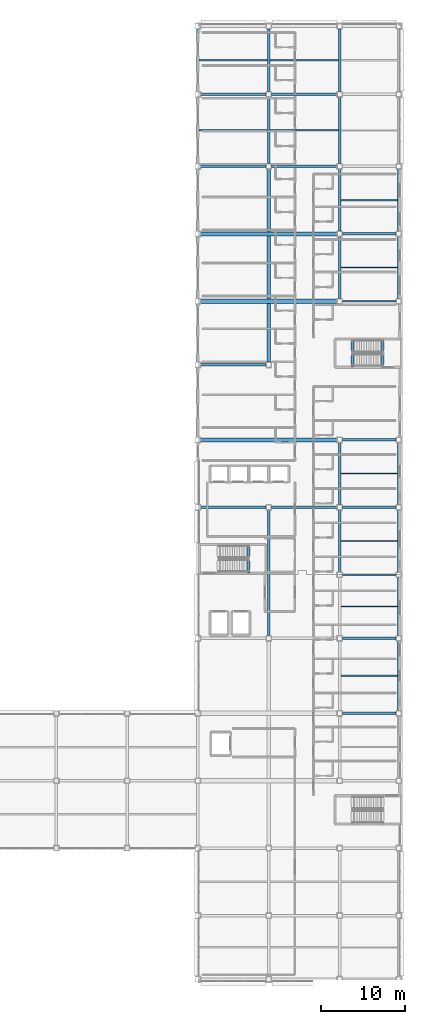
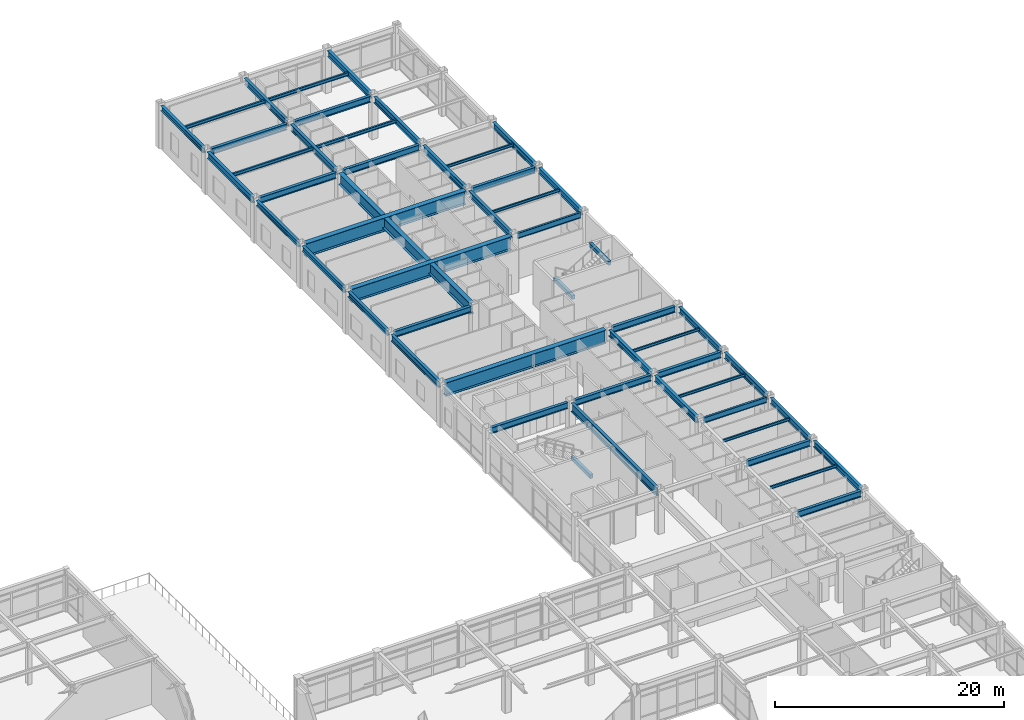
# One storey, part 60 of 93: 52 beams.
"""IFC4 building model written with IfcOpenShell, lengths in metres."""

import ifcopenshell
import ifcopenshell.guid

model = None  # the IFC model being written
_history = None  # IfcOwnerHistory: only IFC2X3 demands one
_inside = {}  # id of a spatial element -> (the spatial element, [elements in it])
_under = {}  # id of a project, library or spatial element -> (it, [spatial elements below it])
_declared = {}  # id of a project -> (the project, [libraries it declares])
_typed = {}  # id of a type object -> (the type object, [elements of that type])
_made_of = {}  # id of a material, layer set ... -> (it, [elements and type objects made of it])


def new_model(schema):
    """Start an empty IFC model of exactly this schema.

    Asked for "IFC4X3", IfcOpenShell would pick the latest addendum, in which some entities
    have other attributes; the version numbers below select the first issue.
    IFC2X3 requires an IfcOwnerHistory on every rooted entity: one is made here for all.
    """
    global model, _history
    if schema == "IFC4X3":
        model = ifcopenshell.file(schema_version=(4, 3, 0, 0))
    else:
        model = ifcopenshell.file(schema=schema)
    _inside.clear()
    _under.clear()
    _declared.clear()
    _typed.clear()
    _made_of.clear()
    _history = None
    if model.schema == "IFC2X3":
        org = make("IfcOrganization", Name="unknown")
        user = make(
            "IfcPersonAndOrganization",
            ThePerson=make("IfcPerson", FamilyName="unknown"),
            TheOrganization=org,
        )
        app = make(
            "IfcApplication",
            ApplicationDeveloper=org,
            Version="unknown",
            ApplicationFullName="unknown",
            ApplicationIdentifier="unknown",
        )
        _history = make(
            "IfcOwnerHistory",
            OwningUser=user,
            OwningApplication=app,
            ChangeAction="ADDED",
            CreationDate=0,
        )
    return model


def make(cls, **values):
    """One entity of the class cls with the attributes given. An attribute that is None is left unset."""
    return model.create_entity(
        cls, **{name: value for name, value in values.items() if value is not None}
    )


def rooted(cls, **values):
    """An entity with a GlobalId (a new one), such as an element, a storey or a relation."""
    return make(cls, GlobalId=ifcopenshell.guid.new(), OwnerHistory=_history, **values)


def si_unit(unit_type, name, prefix=None):
    """IfcSIUnit, for example si_unit("LENGTHUNIT", "METRE", prefix="MILLI")."""
    return make("IfcSIUnit", UnitType=unit_type, Prefix=prefix, Name=name)


def assignment(units):
    """IfcUnitAssignment: the units of a project."""
    return None if units is None else make("IfcUnitAssignment", Units=units)


def point(xyz):
    """IfcCartesianPoint."""
    return None if xyz is None else make("IfcCartesianPoint", Coordinates=xyz)


def direction(xyz):
    """IfcDirection."""
    return None if xyz is None else make("IfcDirection", DirectionRatios=xyz)


def frame(location, z_axis=None, x_axis=None):
    """IfcAxis2Placement3D, a coordinate frame: its origin and axes. An axis left out is left unset."""
    return make(
        "IfcAxis2Placement3D",
        Location=point(location),
        Axis=direction(z_axis),
        RefDirection=direction(x_axis),
    )


def frame_2d(location, x_axis=None):
    """IfcAxis2Placement2D, a coordinate frame in the plane: its origin and x axis."""
    return make(
        "IfcAxis2Placement2D", Location=point(location), RefDirection=direction(x_axis)
    )


def origin():
    """The frame at (0, 0, 0) with its axes left unset."""
    return frame((0.0, 0.0, 0.0))


def origin_2d():
    """The frame at (0, 0) in the plane with its x axis left unset."""
    return frame_2d((0.0, 0.0))


def place(relative_to, where):
    """IfcLocalPlacement: puts the frame where relative to a parent placement (None: the world)."""
    return make(
        "IfcLocalPlacement", PlacementRelTo=relative_to, RelativePlacement=where
    )


def context(
    kind, dimensions, precision=None, world=None, true_north=None, identifier=None
):
    """IfcGeometricRepresentationContext, for example the 3D "Model" context."""
    return make(
        "IfcGeometricRepresentationContext",
        ContextIdentifier=identifier,
        ContextType=kind,
        CoordinateSpaceDimension=dimensions,
        Precision=precision,
        WorldCoordinateSystem=world,
        TrueNorth=true_north,
    )


def subcontext(parent, identifier, kind, view, scale=None):
    """IfcGeometricRepresentationSubContext, for example "Body" below "Model"."""
    return make(
        "IfcGeometricRepresentationSubContext",
        ContextIdentifier=identifier,
        ContextType=kind,
        ParentContext=parent,
        TargetScale=scale,
        TargetView=view,
    )


def project(units=None, contexts=None):
    """IfcProject with its units and contexts."""
    return rooted(
        "IfcProject",
        Name="project",
        RepresentationContexts=contexts,
        UnitsInContext=assignment(units),
    )


def spatial(cls, under=None, at=None, **own):
    """A site, building, storey or space (cls), placed at a placement, below another one or the project."""
    s = rooted(cls, ObjectPlacement=at, **own)
    if under is not None:
        _under.setdefault(under.id(), (under, []))[1].append(s)
    return s


def profile(cls, at=None, kind="AREA", **sizes):
    """A parametric profile (cls). Its sizes go by their IFC names, for example OverallWidth=200.0."""
    return make(cls, ProfileType=kind, Position=at, **sizes)


def rectangle(**sizes):
    """IfcRectangleProfileDef."""
    return profile("IfcRectangleProfileDef", **sizes)


def i_section(**sizes):
    """IfcIShapeProfileDef."""
    return profile("IfcIShapeProfileDef", **sizes)


def extrude(swept, where, along, depth):
    """IfcExtrudedAreaSolid: the profile swept, set in the frame where, extruded along a direction by depth."""
    return make(
        "IfcExtrudedAreaSolid",
        SweptArea=swept,
        Position=where,
        ExtrudedDirection=direction(along),
        Depth=depth,
    )


def shape(context_of_items, identifier, shape_type, items):
    """IfcShapeRepresentation: the items that make up one representation, for example the "Body"."""
    return make(
        "IfcShapeRepresentation",
        ContextOfItems=context_of_items,
        RepresentationIdentifier=identifier,
        RepresentationType=shape_type,
        Items=items,
    )


def material(Name=None, Category=None):
    """IfcMaterial."""
    return make("IfcMaterial", Name=Name, Category=Category)


def material_profile(
    of_material, cross_section, Name=None, Category=None, Priority=None
):
    """IfcMaterialProfile: a cross section and its material."""
    return make(
        "IfcMaterialProfile",
        Name=Name,
        Material=of_material,
        Profile=cross_section,
        Priority=Priority,
        Category=Category,
    )


def profile_set(profiles, Name=None, composite=None):
    """IfcMaterialProfileSet."""
    return make(
        "IfcMaterialProfileSet",
        Name=Name,
        MaterialProfiles=profiles,
        CompositeProfile=composite,
    )


def made_of(thing, what):
    """Note that an element or type object is made of a material, layer set ...; save() writes the relation."""
    if what is not None:
        _made_of.setdefault(what.id(), (what, []))[1].append(thing)
    return thing


def type_object(cls, material=None, **own):
    """A type object (cls), such as IfcWallType, which elements share."""
    return made_of(rooted(cls, **own), material)


def element(
    cls,
    number,
    at=None,
    inside=None,
    cuts=None,
    type_object=None,
    material=None,
    context=None,
    identifier="Body",
    shape_type=None,
    held_by="IfcProductDefinitionShape",
    body=None,
    shapes=None,
    **own,
):
    """One element of the class cls, such as IfcWall. Its Tag is "e" and its number.

    at: its placement. inside: the storey or other place that contains it. cuts: it is an
    opening in that element (IfcRelVoidsElement). A single representation is given by context,
    identifier, shape_type and body (its items); several are given by shapes. held_by: the class
    of the entity that holds the representations. save() writes the other relations.
    """
    e = rooted(cls, Tag="e%d" % number, ObjectPlacement=at, **own)
    if body is not None:
        shapes = [shape(context, identifier, shape_type, body)]
    if shapes is not None:
        e.Representation = make(held_by, Representations=shapes)
    if inside is not None:
        _inside.setdefault(inside.id(), (inside, []))[1].append(e)
    if cuts is not None:
        rooted(
            "IfcRelVoidsElement", RelatingBuildingElement=cuts, RelatedOpeningElement=e
        )
    if type_object is not None:
        _typed.setdefault(type_object.id(), (type_object, []))[1].append(e)
    return made_of(e, material)


def aggregate(whole, parts):
    """IfcRelAggregates: a whole, such as a stair, and the parts it consists of."""
    return rooted("IfcRelAggregates", RelatingObject=whole, RelatedObjects=parts)


def save(model, path):
    """Write the relations noted so far, then the file.

    IfcRelAggregates (storeys below a building ...), IfcRelContainedInSpatialStructure (elements
    in a storey), IfcRelDefinesByType, IfcRelAssociatesMaterial and IfcRelDeclares: one each for
    every whole, place, type object, material and project.
    """
    for whole, parts in _under.values():
        aggregate(whole, parts)
    for where, things in _inside.values():
        rooted(
            "IfcRelContainedInSpatialStructure",
            RelatedElements=things,
            RelatingStructure=where,
        )
    for kind, things in _typed.values():
        rooted("IfcRelDefinesByType", RelatedObjects=things, RelatingType=kind)
    for what, things in _made_of.values():
        rooted("IfcRelAssociatesMaterial", RelatedObjects=things, RelatingMaterial=what)
    for by, libraries in _declared.values():
        rooted("IfcRelDeclares", RelatingContext=by, RelatedDefinitions=libraries)
    model.write(path)


model = new_model("IFC4")

# Units and contexts
model_context = context("Model", 3, precision=1e-05, world=origin(), true_north=direction((0.0, 1.0)))
body_context = subcontext(model_context, "Body", "Model", "MODEL_VIEW")
ifc_project = project(units=[si_unit("LENGTHUNIT", "METRE"), si_unit("AREAUNIT", "SQUARE_METRE"), si_unit("VOLUMEUNIT", "CUBIC_METRE"), si_unit("PLANEANGLEUNIT", "RADIAN"), si_unit("MASSUNIT", "GRAM", prefix="KILO")], contexts=[model_context])

# Site, building, storey
site_placement = place(None, origin())
site = spatial("IfcSite", under=ifc_project, at=site_placement, CompositionType="ELEMENT")
building_placement = place(site_placement, origin())
building = spatial("IfcBuilding", under=site, at=building_placement, Name="Kazehara Bluff Congress Hotel", CompositionType="ELEMENT")
storey_placement = place(building_placement, frame((0.0, 0.0, 15.0)))
storey = spatial("IfcBuildingStorey", under=building, at=storey_placement, Name="L03", CompositionType="ELEMENT", Elevation=15.0)

# Beams
ifc_material_1 = material(Name="Steel SN490B", Category="steel")
ifc_material_profile_1 = material_profile(ifc_material_1, i_section(OverallWidth=0.300048828125, OverallDepth=0.64990234375, WebThickness=0.011962890625, FlangeThickness=0.02001953125, FilletRadius=0.012939453125, at=origin_2d()))
ifc_profile_set_1 = profile_set([ifc_material_profile_1], Name="Steel SN490B")
beam_type_1 = type_object("IfcBeamType", Name="TP-G-03", PredefinedType="BEAM", material=ifc_profile_set_1)
beam_1_placement = place(storey_placement, frame((152.10009765625, 97.22509765625, 4.235107421875), z_axis=(0.0, 1.0, 0.0), x_axis=(-1.0, 0.0, 0.0)))
element("IfcBeam", 1, at=beam_1_placement, inside=storey, type_object=beam_type_1, Name="L03 girder G-03 127", PredefinedType="BEAM", context=body_context, shape_type="SweptSolid", body=[
    extrude(i_section(OverallWidth=0.300048828125, OverallDepth=0.64990234375, WebThickness=0.011962890625, FlangeThickness=0.02001953125, FilletRadius=0.012939453125, at=origin_2d()), origin(), (0.0, 0.0, 1.0), 7.89990234375),
])
beam_2_placement = place(storey_placement, frame((152.10009765625, 105.77490234375, 4.235107421875), z_axis=(0.0, 1.0, 0.0), x_axis=(-1.0, 0.0, 0.0)))
element("IfcBeam", 2, at=beam_2_placement, inside=storey, type_object=beam_type_1, Name="L03 girder G-03 128", PredefinedType="BEAM", context=body_context, shape_type="SweptSolid", body=[
    extrude(i_section(OverallWidth=0.300048828125, OverallDepth=0.64990234375, WebThickness=0.011962890625, FlangeThickness=0.02001953125, FilletRadius=0.012939453125, at=origin_2d()), origin(), (0.0, 0.0, 1.0), 7.4501953125),
])
for number, where, z_axis, x_axis, name in (
    (3, (160.5, 48.77490234375, 4.235107421875), (0.0, 1.0, 0.0), (-1.0, 0.0, 0.0), "L03 girder G-03 134"),
    (4, (160.5, 56.77490234375, 4.235107421875), (0.0, 1.0, 0.0), (-1.0, 0.0, 0.0), "L03 girder G-03 135"),
):
    element("IfcBeam", number, at=place(storey_placement, frame(where, z_axis=z_axis, x_axis=x_axis)), inside=storey, type_object=beam_type_1, Name=name, PredefinedType="BEAM", context=body_context, shape_type="SweptSolid", body=[
        extrude(i_section(OverallWidth=0.300048828125, OverallDepth=0.64990234375, WebThickness=0.011962890625, FlangeThickness=0.02001953125, FilletRadius=0.012939453125, at=origin_2d()), origin(), (0.0, 0.0, 1.0), 7.35009765625),
    ])
for number, where, z_axis, x_axis, name in (
    (5, (160.5, 81.22509765625, 4.235107421875), (0.0, 1.0, 0.0), (-1.0, 0.0, 0.0), "L03 girder G-03 136"),
    (6, (160.5, 89.22509765625, 4.235107421875), (0.0, 1.0, 0.0), (-1.0, 0.0, 0.0), "L03 girder G-03 137"),
):
    element("IfcBeam", number, at=place(storey_placement, frame(where, z_axis=z_axis, x_axis=x_axis)), inside=storey, type_object=beam_type_1, Name=name, PredefinedType="BEAM", context=body_context, shape_type="SweptSolid", body=[
        extrude(i_section(OverallWidth=0.300048828125, OverallDepth=0.64990234375, WebThickness=0.011962890625, FlangeThickness=0.02001953125, FilletRadius=0.012939453125, at=origin_2d()), origin(), (0.0, 0.0, 1.0), 7.349853515625),
    ])
beam_3_placement = place(storey_placement, frame((160.5, 97.22509765625, 4.235107421875), z_axis=(0.0, 1.0, 0.0), x_axis=(-1.0, 0.0, 0.0)))
element("IfcBeam", 7, at=beam_3_placement, inside=storey, type_object=beam_type_1, Name="L03 girder G-03 138", PredefinedType="BEAM", context=body_context, shape_type="SweptSolid", body=[
    extrude(i_section(OverallWidth=0.300048828125, OverallDepth=0.64990234375, WebThickness=0.011962890625, FlangeThickness=0.02001953125, FilletRadius=0.012939453125, at=origin_2d()), origin(), (0.0, 0.0, 1.0), 7.89990234375),
])
beam_4_placement = place(storey_placement, frame((160.5, 105.77490234375, 4.235107421875), z_axis=(0.0, 1.0, 0.0), x_axis=(-1.0, 0.0, 0.0)))
element("IfcBeam", 8, at=beam_4_placement, inside=storey, type_object=beam_type_1, Name="L03 girder G-03 139", PredefinedType="BEAM", context=body_context, shape_type="SweptSolid", body=[
    extrude(i_section(OverallWidth=0.300048828125, OverallDepth=0.64990234375, WebThickness=0.011962890625, FlangeThickness=0.02001953125, FilletRadius=0.012939453125, at=origin_2d()), origin(), (0.0, 0.0, 1.0), 7.4501953125),
])
beam_5_placement = place(storey_placement, frame((167.550048828125, 32.324951171875, 4.235107421875), z_axis=(0.0, 1.0, 0.0), x_axis=(-1.0, 0.0, 0.0)))
element("IfcBeam", 9, at=beam_5_placement, inside=storey, type_object=beam_type_1, Name="L03 girder G-03 143", PredefinedType="BEAM", context=body_context, shape_type="SweptSolid", body=[
    extrude(i_section(OverallWidth=0.300048828125, OverallDepth=0.64990234375, WebThickness=0.011962890625, FlangeThickness=0.02001953125, FilletRadius=0.012939453125, at=origin_2d()), origin(), (0.0, 0.0, 1.0), 8.25),
])
beam_6_placement = place(storey_placement, frame((167.550048828125, 41.22509765625, 4.235107421875), z_axis=(0.0, 1.0, 0.0), x_axis=(-1.0, 0.0, 0.0)))
element("IfcBeam", 10, at=beam_6_placement, inside=storey, type_object=beam_type_1, Name="L03 girder G-03 144", PredefinedType="BEAM", context=body_context, shape_type="SweptSolid", body=[
    extrude(i_section(OverallWidth=0.300048828125, OverallDepth=0.64990234375, WebThickness=0.011962890625, FlangeThickness=0.02001953125, FilletRadius=0.012939453125, at=origin_2d()), origin(), (0.0, 0.0, 1.0), 6.89990234375),
])
for number, where, z_axis, x_axis, name in (
    (11, (167.550048828125, 48.77490234375, 4.235107421875), (0.0, 1.0, 0.0), (-1.0, 0.0, 0.0), "L03 girder G-03 145"),
    (12, (167.550048828125, 56.77490234375, 4.235107421875), (0.0, 1.0, 0.0), (-1.0, 0.0, 0.0), "L03 girder G-03 146"),
):
    element("IfcBeam", number, at=place(storey_placement, frame(where, z_axis=z_axis, x_axis=x_axis)), inside=storey, type_object=beam_type_1, Name=name, PredefinedType="BEAM", context=body_context, shape_type="SweptSolid", body=[
        extrude(i_section(OverallWidth=0.300048828125, OverallDepth=0.64990234375, WebThickness=0.011962890625, FlangeThickness=0.02001953125, FilletRadius=0.012939453125, at=origin_2d()), origin(), (0.0, 0.0, 1.0), 7.35009765625),
    ])
for number, where, z_axis, x_axis, name in (
    (13, (167.550048828125, 81.22509765625, 4.235107421875), (0.0, 1.0, 0.0), (-1.0, 0.0, 0.0), "L03 girder G-03 147"),
    (14, (167.550048828125, 89.22509765625, 4.235107421875), (0.0, 1.0, 0.0), (-1.0, 0.0, 0.0), "L03 girder G-03 148"),
):
    element("IfcBeam", number, at=place(storey_placement, frame(where, z_axis=z_axis, x_axis=x_axis)), inside=storey, type_object=beam_type_1, Name=name, PredefinedType="BEAM", context=body_context, shape_type="SweptSolid", body=[
        extrude(i_section(OverallWidth=0.300048828125, OverallDepth=0.64990234375, WebThickness=0.011962890625, FlangeThickness=0.02001953125, FilletRadius=0.012939453125, at=origin_2d()), origin(), (0.0, 0.0, 1.0), 7.349853515625),
    ])
for number, where, z_axis, x_axis, name in (
    (15, (160.824951171875, 32.0, 4.235107421875), (1.0, 0.0, 0.0), (0.0, 1.0, 0.0), "L03 girder G-03 175"),
    (16, (160.824951171875, 40.89990234375, 4.235107421875), (1.0, 0.0, 0.0), (0.0, 1.0, 0.0), "L03 girder G-03 178"),
):
    element("IfcBeam", number, at=place(storey_placement, frame(where, z_axis=z_axis, x_axis=x_axis)), inside=storey, type_object=beam_type_1, Name=name, PredefinedType="BEAM", context=body_context, shape_type="SweptSolid", body=[
        extrude(i_section(OverallWidth=0.300048828125, OverallDepth=0.64990234375, WebThickness=0.011962890625, FlangeThickness=0.02001953125, FilletRadius=0.012939453125, at=origin_2d()), origin(), (0.0, 0.0, 1.0), 6.400146484375),
    ])
for number, where, z_axis, x_axis, name in (
    (17, (144.02490234375, 56.449951171875, 4.235107421875), (1.0, 0.0, 0.0), (0.0, 1.0, 0.0), "L03 girder G-03 180"),
    (18, (152.425048828125, 56.449951171875, 4.235107421875), (1.0, 0.0, 0.0), (0.0, 1.0, 0.0), "L03 girder G-03 181"),
):
    element("IfcBeam", number, at=place(storey_placement, frame(where, z_axis=z_axis, x_axis=x_axis)), inside=storey, type_object=beam_type_1, Name=name, PredefinedType="BEAM", context=body_context, shape_type="SweptSolid", body=[
        extrude(i_section(OverallWidth=0.300048828125, OverallDepth=0.64990234375, WebThickness=0.011962890625, FlangeThickness=0.02001953125, FilletRadius=0.012939453125, at=origin_2d()), origin(), (0.0, 0.0, 1.0), 7.75),
    ])
for number, where, z_axis, x_axis, name in (
    (19, (160.824951171875, 56.449951171875, 4.235107421875), (1.0, 0.0, 0.0), (0.0, 1.0, 0.0), "L03 girder G-03 182"),
    (20, (160.824951171875, 64.449951171875, 4.235107421875), (1.0, 0.0, 0.0), (0.0, 1.0, 0.0), "L03 girder G-03 184"),
):
    element("IfcBeam", number, at=place(storey_placement, frame(where, z_axis=z_axis, x_axis=x_axis)), inside=storey, type_object=beam_type_1, Name=name, PredefinedType="BEAM", context=body_context, shape_type="SweptSolid", body=[
        extrude(i_section(OverallWidth=0.300048828125, OverallDepth=0.64990234375, WebThickness=0.011962890625, FlangeThickness=0.02001953125, FilletRadius=0.012939453125, at=origin_2d()), origin(), (0.0, 0.0, 1.0), 6.400146484375),
    ])
beam_7_placement = place(storey_placement, frame((144.02490234375, 73.35009765625, 4.235107421875), z_axis=(1.0, 0.0, 0.0), x_axis=(0.0, 1.0, 0.0)))
element("IfcBeam", 21, at=beam_7_placement, inside=storey, type_object=beam_type_1, Name="L03 girder G-03 185", PredefinedType="BEAM", context=body_context, shape_type="SweptSolid", body=[
    extrude(i_section(OverallWidth=0.300048828125, OverallDepth=0.64990234375, WebThickness=0.011962890625, FlangeThickness=0.02001953125, FilletRadius=0.012939453125, at=origin_2d()), origin(), (0.0, 0.0, 1.0), 7.75),
])
beam_8_placement = place(storey_placement, frame((160.824951171875, 88.89990234375, 4.235107421875), z_axis=(1.0, 0.0, 0.0), x_axis=(0.0, 1.0, 0.0)))
element("IfcBeam", 22, at=beam_8_placement, inside=storey, type_object=beam_type_1, Name="L03 girder G-03 189", PredefinedType="BEAM", context=body_context, shape_type="SweptSolid", body=[
    extrude(i_section(OverallWidth=0.300048828125, OverallDepth=0.64990234375, WebThickness=0.011962890625, FlangeThickness=0.02001953125, FilletRadius=0.012939453125, at=origin_2d()), origin(), (0.0, 0.0, 1.0), 6.400146484375),
])
for number, where, z_axis, x_axis, name in (
    (23, (144.02490234375, 96.89990234375, 4.235107421875), (1.0, 0.0, 0.0), (0.0, 1.0, 0.0), "L03 girder G-03 190"),
    (24, (152.425048828125, 96.89990234375, 4.235107421875), (1.0, 0.0, 0.0), (0.0, 1.0, 0.0), "L03 girder G-03 191"),
    (25, (144.02490234375, 105.449951171875, 4.235107421875), (1.0, 0.0, 0.0), (0.0, 1.0, 0.0), "L03 girder G-03 193"),
    (26, (152.425048828125, 105.449951171875, 4.235107421875), (1.0, 0.0, 0.0), (0.0, 1.0, 0.0), "L03 girder G-03 194"),
):
    element("IfcBeam", number, at=place(storey_placement, frame(where, z_axis=z_axis, x_axis=x_axis)), inside=storey, type_object=beam_type_1, Name=name, PredefinedType="BEAM", context=body_context, shape_type="SweptSolid", body=[
        extrude(i_section(OverallWidth=0.300048828125, OverallDepth=0.64990234375, WebThickness=0.011962890625, FlangeThickness=0.02001953125, FilletRadius=0.012939453125, at=origin_2d()), origin(), (0.0, 0.0, 1.0), 7.75),
    ])
ifc_material_2 = material(Name="Steel SN490B", Category="steel")
ifc_material_profile_2 = material_profile(ifc_material_2, i_section(OverallWidth=0.300048828125, OverallDepth=0.89990234375, WebThickness=0.01611328125, FlangeThickness=0.028076171875, FilletRadius=0.01806640625, at=origin_2d()))
ifc_profile_set_2 = profile_set([ifc_material_profile_2], Name="Steel SN490B")
beam_type_2 = type_object("IfcBeamType", Name="TP-G-08", PredefinedType="BEAM", material=ifc_profile_set_2)
beam_9_placement = place(storey_placement, frame((152.10009765625, 41.22509765625, 4.110107421875), z_axis=(0.0, 1.0, 0.0), x_axis=(-1.0, 0.0, 0.0)))
element("IfcBeam", 27, at=beam_9_placement, inside=storey, type_object=beam_type_2, Name="L03 girder G-08 125", PredefinedType="BEAM", context=body_context, shape_type="SweptSolid", body=[
    extrude(i_section(OverallWidth=0.300048828125, OverallDepth=0.89990234375, WebThickness=0.01611328125, FlangeThickness=0.028076171875, FilletRadius=0.01806640625, at=origin_2d()), origin(), (0.0, 0.0, 1.0), 14.89990234375),
])
ifc_material_3 = material(Name="Steel SN490B", Category="steel")
ifc_material_profile_3 = material_profile(ifc_material_3, i_section(OverallWidth=0.449951171875, OverallDepth=1.199951171875, WebThickness=0.02001953125, FlangeThickness=0.031982421875, at=origin_2d()))
ifc_profile_set_3 = profile_set([ifc_material_profile_3], Name="Steel SN490B")
beam_type_3 = type_object("IfcBeamType", Name="TP-G-10", PredefinedType="BEAM", material=ifc_profile_set_3)
beam_10_placement = place(storey_placement, frame((152.10009765625, 73.675048828125, 3.9599609375), z_axis=(0.0, 1.0, 0.0), x_axis=(-1.0, 0.0, 0.0)))
element("IfcBeam", 28, at=beam_10_placement, inside=storey, type_object=beam_type_3, Name="L03 girder G-10 126", PredefinedType="BEAM", context=body_context, shape_type="SweptSolid", body=[
    extrude(i_section(OverallWidth=0.449951171875, OverallDepth=1.199951171875, WebThickness=0.02001953125, FlangeThickness=0.031982421875, at=origin_2d()), origin(), (0.0, 0.0, 1.0), 22.89990234375),
])
ifc_material_4 = material(Name="Steel SN400B", Category="steel")
ifc_material_profile_4 = material_profile(ifc_material_4, i_section(OverallWidth=0.14990234375, OverallDepth=0.300048828125, WebThickness=0.006591796875, FlangeThickness=0.009033203125, FilletRadius=0.012939453125, at=origin_2d()))
ifc_profile_set_4 = profile_set([ifc_material_profile_4], Name="Steel SN400B")
beam_type_4 = type_object("IfcBeamType", Name="TP-J-01", PredefinedType="JOIST", material=ifc_profile_set_4)
for number, where, z_axis, x_axis, name in (
    (29, (160.64990234375, 36.449951171875, 4.409912109375), (1.0, 0.0, 0.0), (0.0, 1.0, 0.0), "L03 secondary joist J-01 41"),
    (30, (160.64990234375, 44.675048828125, 4.409912109375), (1.0, 0.0, 0.0), (0.0, 1.0, 0.0), "L03 secondary joist J-01 42"),
    (31, (160.64990234375, 52.449951171875, 4.409912109375), (1.0, 0.0, 0.0), (0.0, 1.0, 0.0), "L03 secondary joist J-01 43"),
    (32, (160.64990234375, 60.449951171875, 4.409912109375), (1.0, 0.0, 0.0), (0.0, 1.0, 0.0), "L03 secondary joist J-01 44"),
    (33, (160.64990234375, 84.89990234375, 4.409912109375), (1.0, 0.0, 0.0), (0.0, 1.0, 0.0), "L03 secondary joist J-01 45"),
    (34, (160.64990234375, 92.89990234375, 4.409912109375), (1.0, 0.0, 0.0), (0.0, 1.0, 0.0), "L03 secondary joist J-01 46"),
):
    element("IfcBeam", number, at=place(storey_placement, frame(where, z_axis=z_axis, x_axis=x_axis)), inside=storey, type_object=beam_type_4, Name=name, PredefinedType="JOIST", context=body_context, shape_type="SweptSolid", body=[
        extrude(i_section(OverallWidth=0.14990234375, OverallDepth=0.300048828125, WebThickness=0.006591796875, FlangeThickness=0.009033203125, FilletRadius=0.012939453125, at=origin_2d()), origin(), (0.0, 0.0, 1.0), 6.75),
    ])
ifc_material_5 = material(Name="Steel SN400B", Category="steel")
ifc_material_profile_5 = material_profile(ifc_material_5, i_section(OverallWidth=0.175048828125, OverallDepth=0.35009765625, WebThickness=0.007080078125, FlangeThickness=0.010986328125, FilletRadius=0.012939453125, at=origin_2d()))
ifc_profile_set_5 = profile_set([ifc_material_profile_5], Name="Steel SN400B")
beam_type_5 = type_object("IfcBeamType", Name="TP-J-02", PredefinedType="JOIST", material=ifc_profile_set_5)
for number, where, z_axis, x_axis, name in (
    (35, (143.85009765625, 101.175048828125, 4.385009765625), (1.0, 0.0, 0.0), (0.0, 1.0, 0.0), "L03 secondary joist J-02 32"),
    (36, (143.85009765625, 109.5, 4.385009765625), (1.0, 0.0, 0.0), (0.0, 1.0, 0.0), "L03 secondary joist J-02 33"),
):
    element("IfcBeam", number, at=place(storey_placement, frame(where, z_axis=z_axis, x_axis=x_axis)), inside=storey, type_object=beam_type_5, Name=name, PredefinedType="JOIST", context=body_context, shape_type="SweptSolid", body=[
        extrude(i_section(OverallWidth=0.175048828125, OverallDepth=0.35009765625, WebThickness=0.007080078125, FlangeThickness=0.010986328125, FilletRadius=0.012939453125, at=origin_2d()), origin(), (0.0, 0.0, 1.0), 8.099853515625),
    ])
for number, where, z_axis, x_axis, name in (
    (37, (152.25, 101.175048828125, 4.385009765625), (1.0, 0.0, 0.0), (0.0, 1.0, 0.0), "L03 secondary joist J-02 36"),
    (38, (152.25, 109.5, 4.385009765625), (1.0, 0.0, 0.0), (0.0, 1.0, 0.0), "L03 secondary joist J-02 37"),
):
    element("IfcBeam", number, at=place(storey_placement, frame(where, z_axis=z_axis, x_axis=x_axis)), inside=storey, type_object=beam_type_5, Name=name, PredefinedType="JOIST", context=body_context, shape_type="SweptSolid", body=[
        extrude(i_section(OverallWidth=0.175048828125, OverallDepth=0.35009765625, WebThickness=0.007080078125, FlangeThickness=0.010986328125, FilletRadius=0.012939453125, at=origin_2d()), origin(), (0.0, 0.0, 1.0), 8.10009765625),
    ])
ifc_material_6 = material(Name="Concrete C40/50", Category="concrete")
ifc_material_profile_6 = material_profile(ifc_material_6, rectangle(XDim=0.300048828125, YDim=0.39990234375, at=origin_2d()))
ifc_profile_set_6 = profile_set([ifc_material_profile_6], Name="Concrete C40/50")
beam_type_6 = type_object("IfcBeamType", Name="TP-LN-02", PredefinedType="LINTEL", material=ifc_profile_set_6)
beam_11_placement = place(storey_placement, frame((149.739990234375, 48.675048828125, 2.02001953125), z_axis=(0.0, 1.0, 0.0), x_axis=(-1.0, 0.0, 0.0)))
element("IfcBeam", 39, at=beam_11_placement, inside=storey, type_object=beam_type_6, Name="L03 ST-11 half-landing support beam 1", PredefinedType="LINTEL", context=body_context, shape_type="SweptSolid", body=[
    extrude(rectangle(XDim=0.300048828125, YDim=0.39990234375, at=origin_2d()), origin(), (0.0, 0.0, 1.0), 3.349853515625),
])
for number, where, z_axis, x_axis, name in (
    (40, (162.010009765625, 76.425048828125, 2.02001953125), (0.0, -1.0, 0.0), (1.0, 0.0, 0.0), "L03 ST-12 half-landing support beam 1"),
    (41, (165.64990234375, 76.425048828125, 4.3798828125), (0.0, -1.0, 0.0), (1.0, 0.0, 0.0), "L04 ST-12 stairwell trimmer beam"),
):
    element("IfcBeam", number, at=place(storey_placement, frame(where, z_axis=z_axis, x_axis=x_axis)), inside=storey, type_object=beam_type_6, Name=name, PredefinedType="LINTEL", context=body_context, shape_type="SweptSolid", body=[
        extrude(rectangle(XDim=0.300048828125, YDim=0.39990234375, at=origin_2d()), origin(), (0.0, 0.0, 1.0), 3.35009765625),
    ])
ifc_material_7 = material(Name="Steel SN490B", Category="steel")
ifc_material_profile_7 = material_profile(ifc_material_7, i_section(OverallWidth=0.300048828125, OverallDepth=0.550048828125, WebThickness=0.010986328125, FlangeThickness=0.01806640625, FilletRadius=0.012939453125, at=origin_2d()))
ifc_profile_set_7 = profile_set([ifc_material_profile_7], Name="Steel SN490B")
beam_type_7 = type_object("IfcBeamType", Name="TP-SP-01", PredefinedType="SPANDREL", material=ifc_profile_set_7)
beam_12_placement = place(storey_placement, frame((143.699951171875, 73.675048828125, 4.284912109375), z_axis=(0.0, 1.0, 0.0), x_axis=(-1.0, 0.0, 0.0)))
element("IfcBeam", 42, at=beam_12_placement, inside=storey, type_object=beam_type_7, Name="L03 girder SP-01 117", PredefinedType="SPANDREL", context=body_context, shape_type="SweptSolid", body=[
    extrude(i_section(OverallWidth=0.300048828125, OverallDepth=0.550048828125, WebThickness=0.010986328125, FlangeThickness=0.01806640625, FilletRadius=0.012939453125, at=origin_2d()), origin(), (0.0, 0.0, 1.0), 6.89990234375),
])
for number, where, z_axis, x_axis, name in (
    (43, (143.699951171875, 81.22509765625, 4.284912109375), (0.0, 1.0, 0.0), (-1.0, 0.0, 0.0), "L03 girder SP-01 118"),
    (44, (143.699951171875, 89.22509765625, 4.284912109375), (0.0, 1.0, 0.0), (-1.0, 0.0, 0.0), "L03 girder SP-01 119"),
):
    element("IfcBeam", number, at=place(storey_placement, frame(where, z_axis=z_axis, x_axis=x_axis)), inside=storey, type_object=beam_type_7, Name=name, PredefinedType="SPANDREL", context=body_context, shape_type="SweptSolid", body=[
        extrude(i_section(OverallWidth=0.300048828125, OverallDepth=0.550048828125, WebThickness=0.010986328125, FlangeThickness=0.01806640625, FilletRadius=0.012939453125, at=origin_2d()), origin(), (0.0, 0.0, 1.0), 7.349853515625),
    ])
beam_13_placement = place(storey_placement, frame((143.699951171875, 105.77490234375, 4.284912109375), z_axis=(0.0, 1.0, 0.0), x_axis=(-1.0, 0.0, 0.0)))
element("IfcBeam", 45, at=beam_13_placement, inside=storey, type_object=beam_type_7, Name="L03 girder SP-01 121", PredefinedType="SPANDREL", context=body_context, shape_type="SweptSolid", body=[
    extrude(i_section(OverallWidth=0.300048828125, OverallDepth=0.550048828125, WebThickness=0.010986328125, FlangeThickness=0.01806640625, FilletRadius=0.012939453125, at=origin_2d()), origin(), (0.0, 0.0, 1.0), 7.4501953125),
])
ifc_material_8 = material(Name="Steel SN490B", Category="steel")
ifc_material_profile_8 = material_profile(ifc_material_8, i_section(OverallWidth=0.199951171875, OverallDepth=0.60009765625, WebThickness=0.010986328125, FlangeThickness=0.01708984375, FilletRadius=0.012939453125, at=origin_2d()))
ifc_profile_set_8 = profile_set([ifc_material_profile_8], Name="Steel SN490B")
beam_type_8 = type_object("IfcBeamType", Name="TP-SP-02", PredefinedType="SPANDREL", material=ifc_profile_set_8)
for number, where, z_axis, x_axis, name in (
    (46, (160.824951171875, 48.449951171875, 4.260009765625), (1.0, 0.0, 0.0), (0.0, 1.0, 0.0), "L03 girder SP-02 179"),
    (47, (160.824951171875, 80.89990234375, 4.260009765625), (1.0, 0.0, 0.0), (0.0, 1.0, 0.0), "L03 girder SP-02 187"),
):
    element("IfcBeam", number, at=place(storey_placement, frame(where, z_axis=z_axis, x_axis=x_axis)), inside=storey, type_object=beam_type_8, Name=name, PredefinedType="SPANDREL", context=body_context, shape_type="SweptSolid", body=[
        extrude(i_section(OverallWidth=0.199951171875, OverallDepth=0.60009765625, WebThickness=0.010986328125, FlangeThickness=0.01708984375, FilletRadius=0.012939453125, at=origin_2d()), origin(), (0.0, 0.0, 1.0), 6.400146484375),
    ])
ifc_material_9 = material(Name="Steel SN490B", Category="steel")
ifc_material_profile_9 = material_profile(ifc_material_9, i_section(OverallWidth=0.300048828125, OverallDepth=0.699951171875, WebThickness=0.012939453125, FlangeThickness=0.02392578125, FilletRadius=0.01806640625, at=origin_2d()))
ifc_profile_set_9 = profile_set([ifc_material_profile_9], Name="Steel SN490B")
beam_type_9 = type_object("IfcBeamType", Name="TP-SP-03", PredefinedType="SPANDREL", material=ifc_profile_set_9)
beam_14_placement = place(storey_placement, frame((143.699951171875, 64.77490234375, 4.2099609375), z_axis=(0.0, 1.0, 0.0), x_axis=(-1.0, 0.0, 0.0)))
element("IfcBeam", 48, at=beam_14_placement, inside=storey, type_object=beam_type_9, Name="L03 girder SP-03 116", PredefinedType="SPANDREL", context=body_context, shape_type="SweptSolid", body=[
    extrude(i_section(OverallWidth=0.300048828125, OverallDepth=0.699951171875, WebThickness=0.012939453125, FlangeThickness=0.02392578125, FilletRadius=0.01806640625, at=origin_2d()), origin(), (0.0, 0.0, 1.0), 8.25),
])
beam_15_placement = place(storey_placement, frame((143.699951171875, 97.22509765625, 4.2099609375), z_axis=(0.0, 1.0, 0.0), x_axis=(-1.0, 0.0, 0.0)))
element("IfcBeam", 49, at=beam_15_placement, inside=storey, type_object=beam_type_9, Name="L03 girder SP-03 120", PredefinedType="SPANDREL", context=body_context, shape_type="SweptSolid", body=[
    extrude(i_section(OverallWidth=0.300048828125, OverallDepth=0.699951171875, WebThickness=0.012939453125, FlangeThickness=0.02392578125, FilletRadius=0.01806640625, at=origin_2d()), origin(), (0.0, 0.0, 1.0), 7.89990234375),
])
ifc_material_10 = material(Name="Steel SN490B", Category="steel")
ifc_material_profile_10 = material_profile(ifc_material_10, i_section(OverallWidth=0.5, OverallDepth=1.43994140625, WebThickness=0.02197265625, FlangeThickness=0.035888671875, at=origin_2d()))
ifc_profile_set_10 = profile_set([ifc_material_profile_10], Name="Steel SN490B")
beam_type_10 = type_object("IfcBeamType", Name="TP-TG-01", PredefinedType="USERDEFINED", material=ifc_profile_set_10)
for number, where, z_axis, x_axis, name in (
    (50, (144.02490234375, 64.449951171875, 3.840087890625), (1.0, 0.0, 0.0), (0.0, 1.0, 0.0), "L03 transfer girder TG-01 183"),
    (51, (144.02490234375, 80.89990234375, 3.840087890625), (1.0, 0.0, 0.0), (0.0, 1.0, 0.0), "L03 transfer girder TG-01 186"),
    (52, (144.02490234375, 88.89990234375, 3.840087890625), (1.0, 0.0, 0.0), (0.0, 1.0, 0.0), "L03 transfer girder TG-01 188"),
):
    element("IfcBeam", number, at=place(storey_placement, frame(where, z_axis=z_axis, x_axis=x_axis)), inside=storey, type_object=beam_type_10, Name=name, ObjectType="GIRDER", PredefinedType="USERDEFINED", context=body_context, shape_type="SweptSolid", body=[
        extrude(i_section(OverallWidth=0.5, OverallDepth=1.43994140625, WebThickness=0.02197265625, FlangeThickness=0.035888671875, at=origin_2d()), origin(), (0.0, 0.0, 1.0), 16.150146484375),
    ])

save(model, "model.ifc")
